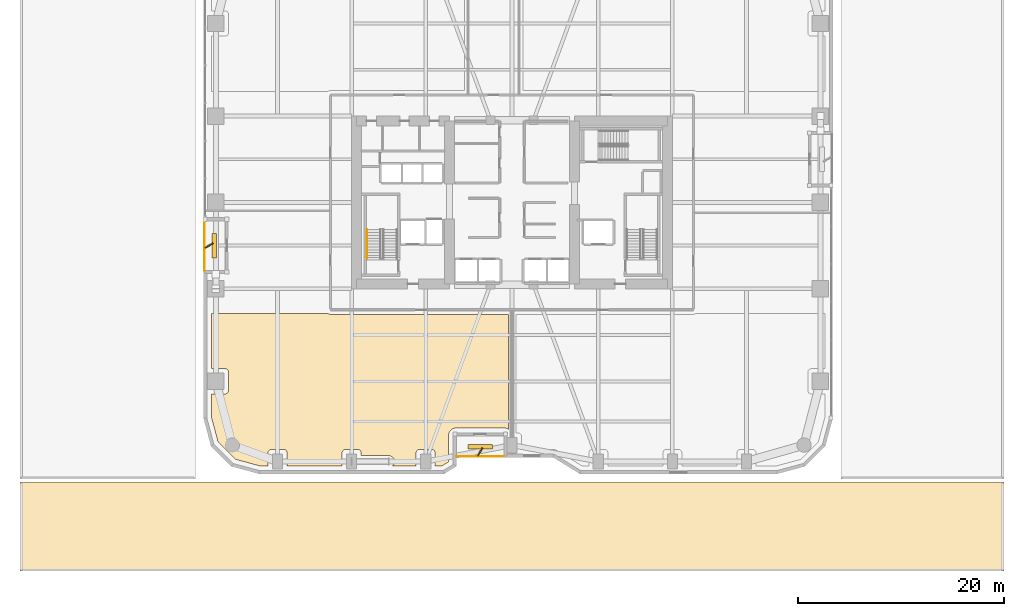
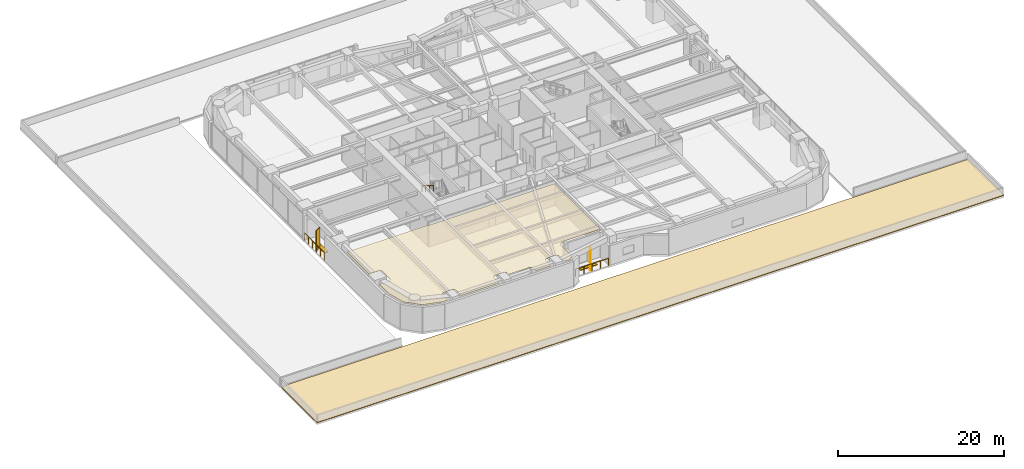
# One storey, part 33 of 38: 4 shading devices, 3 railings, 2 coverings.
"""IFC4 building model written with IfcOpenShell, lengths in metres."""

from ifc_helpers import new_model, si_unit, direction, frame, origin, origin_2d, place, context, subcontext, project, spatial, polyline, rectangle, outline, extrude, material, layer, layer_set, type_object, element, save


model = new_model("IFC4")

# Units and contexts
model_context = context("Model", 3, precision=1e-05, world=origin(), true_north=direction((0.0, 1.0)))
body_context = subcontext(model_context, "Body", "Model", "MODEL_VIEW")
ifc_project = project(units=[si_unit("LENGTHUNIT", "METRE"), si_unit("AREAUNIT", "SQUARE_METRE"), si_unit("VOLUMEUNIT", "CUBIC_METRE"), si_unit("PLANEANGLEUNIT", "RADIAN"), si_unit("MASSUNIT", "GRAM", prefix="KILO")], contexts=[model_context])

# Site, building, storey
site_placement = place(None, origin())
site = spatial("IfcSite", under=ifc_project, at=site_placement, CompositionType="ELEMENT")
building_placement = place(site_placement, origin())
building = spatial("IfcBuilding", under=site, at=building_placement, Name="Kiyonajd Concourse Tower", CompositionType="ELEMENT")
storey_placement = place(building_placement, frame((0.0, 0.0, 21.60009765625)))
storey = spatial("IfcBuildingStorey", under=building, at=storey_placement, Name="L06", CompositionType="ELEMENT", Elevation=21.60009765625)

# Coverings
ifc_material_1 = material(Name="Natural Oak Acoustic Timber Veneer", Category="wood")
ifc_layer_1 = layer(ifc_material_1, 0.0400390625)
ifc_layer_set_1 = layer_set([ifc_layer_1], Name="Natural Oak Acoustic Timber Veneer")
covering_type_1 = type_object("IfcCoveringType", Name="CV-CLG-ACST", PredefinedType="CEILING", material=ifc_layer_set_1)
covering_1_placement = place(storey_placement, frame((0.0, 0.0, 3.4599609375)))
element("IfcCovering", 1, at=covering_1_placement, inside=storey, type_object=covering_type_1, Name="L06-38 Room Acoustic Ceiling", PredefinedType="CEILING", context=body_context, shape_type="SweptSolid", body=[
    extrude(outline(polyline([(30.10205078125, 25.199951171875), (30.156982421875, 25.166015625), (30.219970703125, 25.139892578125), (30.35009765625, 25.1201171875), (47.64990234375, 25.1201171875), (47.64990234375, 13.924072265625), (47.528076171875, 13.99609375), (47.43994140625, 14.031005859375), (47.3330078125, 14.05810546875), (47.240966796875, 14.068115234375), (42.60009765625, 14.070068359375), (42.43310546875, 14.052001953125), (42.321044921875, 14.01708984375), (42.2490234375, 13.985107421875), (42.09912109375, 13.885009765625), (42.014892578125, 13.801025390625), (41.968017578125, 13.739013671875), (41.883056640625, 13.5791015625), (41.85791015625, 13.507080078125), (41.8359375, 13.39208984375), (41.830078125, 10.76904296875), (41.181884765625, 10.3701171875), (40.530029296875, 10.3701171875), (40.530029296875, 11.6298828125), (40.52294921875, 11.697998046875), (40.489013671875, 11.794921875), (40.450927734375, 11.85205078125), (40.402099609375, 11.90087890625), (40.344970703125, 11.93896484375), (40.281982421875, 11.965087890625), (40.179931640625, 11.97998046875), (38.986083984375, 11.97802734375), (38.885986328125, 11.952880859375), (38.825927734375, 11.9208984375), (38.77294921875, 11.876953125), (38.72900390625, 11.823974609375), (38.697021484375, 11.763916015625), (38.672119140625, 11.6640625), (38.669921875, 10.3701171875), (36.3740234375, 10.3701171875), (36.4609375, 10.466064453125), (36.501953125, 10.530029296875), (36.532958984375, 10.59912109375), (36.56396484375, 10.72509765625), (36.570068359375, 10.800048828125), (36.56396484375, 10.875), (36.532958984375, 11.0009765625), (36.501953125, 11.070068359375), (36.4609375, 11.134033203125), (36.362060546875, 11.240966796875), (36.240966796875, 11.31591796875), (36.12890625, 11.35498046875), (36.02197265625, 11.368896484375), (33.330078125, 11.3701171875), (33.327880859375, 11.6640625), (33.31494140625, 11.73193359375), (33.2890625, 11.794921875), (33.22705078125, 11.876953125), (33.14501953125, 11.93896484375), (33.08203125, 11.965087890625), (32.97998046875, 11.97998046875), (31.785888671875, 11.97802734375), (31.718017578125, 11.965087890625), (31.655029296875, 11.93896484375), (31.572998046875, 11.876953125), (31.510986328125, 11.794921875), (31.485107421875, 11.73193359375), (31.471923828125, 11.6640625), (31.469970703125, 10.3701171875), (26.1298828125, 10.3701171875), (26.1298828125, 11.6298828125), (26.123046875, 11.697998046875), (26.089111328125, 11.794921875), (26.051025390625, 11.85205078125), (26.001953125, 11.90087890625), (25.9140625, 11.952880859375), (25.81396484375, 11.97802734375), (24.5859375, 11.97802734375), (24.51806640625, 11.965087890625), (24.455078125, 11.93896484375), (24.373046875, 11.876953125), (24.31103515625, 11.794921875), (24.284912109375, 11.73193359375), (24.27197265625, 11.6640625), (24.27001953125, 10.3701171875), (23.5009765625, 10.3701171875), (21.097900390625, 11.013916015625), (19.4140625, 12.697998046875), (18.77001953125, 15.10107421875), (18.77001953125, 17.3701171875), (20.080078125, 17.3701171875), (20.14794921875, 17.376953125), (20.2451171875, 17.410888671875), (20.302001953125, 17.448974609375), (20.35107421875, 17.498046875), (20.388916015625, 17.554931640625), (20.4150390625, 17.617919921875), (20.429931640625, 17.719970703125), (20.429931640625, 19.47998046875), (20.4150390625, 19.58203125), (20.388916015625, 19.64501953125), (20.35107421875, 19.701904296875), (20.302001953125, 19.7509765625), (20.2451171875, 19.7890625), (20.181884765625, 19.81494140625), (20.114013671875, 19.827880859375), (18.77001953125, 19.830078125), (18.77001953125, 25.199951171875), (30.10205078125, 25.199951171875)])), origin(), (0.0, 0.0, 1.0), 0.0400390625),
])
ifc_material_2 = material(Name="Engineered Hinoki Wood-Effect Architectural Tile", Category="wood")
ifc_layer_2 = layer(ifc_material_2, 0.1201171875)
ifc_layer_set_2 = layer_set([ifc_layer_2], Name="Engineered Hinoki Wood-Effect Architectural Tile")
covering_type_2 = type_object("IfcCoveringType", Name="CV-ROOF-MEMB", PredefinedType="ROOFING", material=ifc_layer_set_2)
covering_2_placement = place(storey_placement, origin())
element("IfcCovering", 2, at=covering_2_placement, inside=storey, type_object=covering_type_2, Name="L06 Setback Roof Membrane", PredefinedType="ROOFING", context=body_context, shape_type="SweptSolid", body=[
    extrude(outline(polyline([(95.85009765625, 0.14990234375), (0.14990234375, 0.14990234375), (0.14990234375, 8.800048828125), (95.85009765625, 8.800048828125), (95.85009765625, 0.14990234375)])), origin(), (0.0, 0.0, 1.0), 0.119873046875),
])

# Railings
ifc_material_3 = material(Name="Thermally Broken Anodised Aluminium", Category="aluminium")
railing_type_1 = type_object("IfcRailingType", Name="RL-GRD-LOG", PredefinedType="GUARDRAIL", material=ifc_material_3)
railing_1_placement = place(storey_placement, frame((42.60009765625, 11.280029296875, 0.0)))
element("IfcRailing", 3, at=railing_1_placement, inside=storey, type_object=railing_type_1, Name="L06 Engawa Loggia Perimeter Guard LOG-S", PredefinedType="GUARDRAIL", context=body_context, shape_type="SweptSolid", body=[
    extrude(rectangle(XDim=0.048095703125, YDim=0.048095703125, at=origin_2d()), frame((0.0, 0.0, 1.076171875), z_axis=(1.0, 0.0, 0.0), x_axis=(0.0, 1.0, 0.0)), (0.0, 0.0, 1.0), 4.599853515625),
    extrude(rectangle(XDim=0.0419921875, YDim=0.0419921875, at=origin_2d()), origin(), (0.0, 0.0, 1.0), 1.052001953125),
    extrude(rectangle(XDim=0.0419921875, YDim=0.0419921875, at=origin_2d()), frame((1.14990234375, 0.0, 0.0)), (0.0, 0.0, 1.0), 1.052001953125),
    extrude(rectangle(XDim=0.0419921875, YDim=0.0419921875, at=origin_2d()), frame((2.2998046875, 0.0, 0.0)), (0.0, 0.0, 1.0), 1.052001953125),
    extrude(rectangle(XDim=0.0419921875, YDim=0.0419921875, at=origin_2d()), frame((3.449951171875, 0.0, 0.0)), (0.0, 0.0, 1.0), 1.052001953125),
    extrude(rectangle(XDim=0.0419921875, YDim=0.0419921875, at=origin_2d()), frame((4.599853515625, 0.0, 0.0)), (0.0, 0.0, 1.0), 1.052001953125),
])
railing_2_placement = place(storey_placement, frame((18.080078125, 34.199951171875, 0.0)))
element("IfcRailing", 4, at=railing_2_placement, inside=storey, type_object=railing_type_1, Name="L06 Engawa Loggia Perimeter Guard LOG-W", PredefinedType="GUARDRAIL", context=body_context, shape_type="SweptSolid", body=[
    extrude(rectangle(XDim=0.048095703125, YDim=0.048095703125, at=origin_2d()), frame((0.0, 0.0, 1.076171875), z_axis=(0.0, -1.0, 0.0), x_axis=(1.0, 0.0, 0.0)), (0.0, 0.0, 1.0), 4.800048828125),
    extrude(rectangle(XDim=0.0419921875, YDim=0.0419921875, at=origin_2d()), origin(), (0.0, 0.0, 1.0), 1.052001953125),
    extrude(rectangle(XDim=0.0419921875, YDim=0.0419921875, at=origin_2d()), frame((0.0, -0.9599609375, 0.0)), (0.0, 0.0, 1.0), 1.052001953125),
    extrude(rectangle(XDim=0.0419921875, YDim=0.0419921875, at=origin_2d()), frame((0.0, -1.919921875, 0.0)), (0.0, 0.0, 1.0), 1.052001953125),
    extrude(rectangle(XDim=0.0419921875, YDim=0.0419921875, at=origin_2d()), frame((0.0, -2.880126953125, 0.0)), (0.0, 0.0, 1.0), 1.052001953125),
    extrude(rectangle(XDim=0.0419921875, YDim=0.0419921875, at=origin_2d()), frame((0.0, -3.840087890625, 0.0)), (0.0, 0.0, 1.0), 1.052001953125),
    extrude(rectangle(XDim=0.0419921875, YDim=0.0419921875, at=origin_2d()), frame((0.0, -4.800048828125, 0.0)), (0.0, 0.0, 1.0), 1.052001953125),
])
ifc_material_4 = material(Name="Brushed Stainless Steel Cab Assembly", Category="steel")
railing_type_2 = type_object("IfcRailingType", Name="RL-HND-900", PredefinedType="HANDRAIL", material=ifc_material_4)
railing_3_placement = place(storey_placement, frame((33.89990234375, 33.35009765625, 2.127197265625)))
element("IfcRailing", 5, at=railing_3_placement, inside=storey, type_object=railing_type_2, Name="L06 ST1 stair handrail 2", PredefinedType="HANDRAIL", context=body_context, shape_type="SweptSolid", body=[
    extrude(rectangle(XDim=0.048095703125, YDim=0.048095703125, at=origin_2d()), frame((0.0, 0.0, 0.8759765625), z_axis=(0.0, -0.844908973607, 0.534910110503), x_axis=(1.0, 0.0, 0.0)), (0.0, 0.0, 1.0), 3.31396484375),
    extrude(rectangle(XDim=0.0419921875, YDim=0.0419921875, at=origin_2d()), origin(), (0.0, 0.0, 1.0), 0.851806640625),
    extrude(rectangle(XDim=0.0419921875, YDim=0.0419921875, at=origin_2d()), frame((0.0, -0.933349609375, 0.5908203125)), (0.0, 0.0, 1.0), 0.851806640625),
    extrude(rectangle(XDim=0.0419921875, YDim=0.0419921875, at=origin_2d()), frame((0.0, -1.86669921875, 1.181884765625)), (0.0, 0.0, 1.0), 0.851806640625),
    extrude(rectangle(XDim=0.0419921875, YDim=0.0419921875, at=origin_2d()), frame((0.0, -2.800048828125, 1.772705078125)), (0.0, 0.0, 1.0), 0.851806640625),
])

# Shading devices
ifc_material_5 = material(Name="Precast concrete C50/60", Category="concrete")
shading_device_type_1 = type_object("IfcShadingDeviceType", Name="SH-FIN-900", PredefinedType="USERDEFINED", material=ifc_material_5)
for number, where, z_axis, x_axis, name in (
    (6, (44.89990234375, 11.72998046875, 0.0), (0.0, 0.0, 1.0), (0.5, 0.866025403784, 0.0), "L06 Angled Koshi Solar Fin LOG-S"),
    (7, (18.530029296875, 31.800048828125, 0.0), (0.0, 0.0, 1.0), (0.866025403784, 0.5, 0.0), "L06 Angled Koshi Solar Fin LOG-W"),
):
    element("IfcShadingDevice", number, at=place(storey_placement, frame(where, z_axis=z_axis, x_axis=x_axis)), inside=storey, type_object=shading_device_type_1, Name=name, ObjectType="FIN", PredefinedType="USERDEFINED", context=body_context, shape_type="SweptSolid", body=[
        extrude(rectangle(XDim=0.89990234375, YDim=0.1201171875, at=origin_2d()), origin(), (0.0, 0.0, 1.0), 3.0),
    ])
shading_device_type_2 = type_object("IfcShadingDeviceType", Name="SH-LVR-600", PredefinedType="JALOUSIE", material=ifc_material_3)
for number, where, z_axis, x_axis, name in (
    (8, (44.89990234375, 12.25, -0.000244140625), (0.0, 0.0, 1.0), (1.0, 0.0, 0.0), "L06 Loggia Threshold Louver LOG-S"),
    (9, (19.050048828125, 31.800048828125, -0.000244140625), (0.0, 0.0, 1.0), (0.0, 1.0, 0.0), "L06 Loggia Threshold Louver LOG-W"),
):
    element("IfcShadingDevice", number, at=place(storey_placement, frame(where, z_axis=z_axis, x_axis=x_axis)), inside=storey, type_object=shading_device_type_2, Name=name, PredefinedType="JALOUSIE", context=body_context, shape_type="SweptSolid", body=[
        extrude(rectangle(XDim=2.39990234375, YDim=0.449951171875, at=origin_2d()), origin(), (0.0, 0.0, 1.0), 0.10009765625),
    ])

save(model, "model.ifc")
